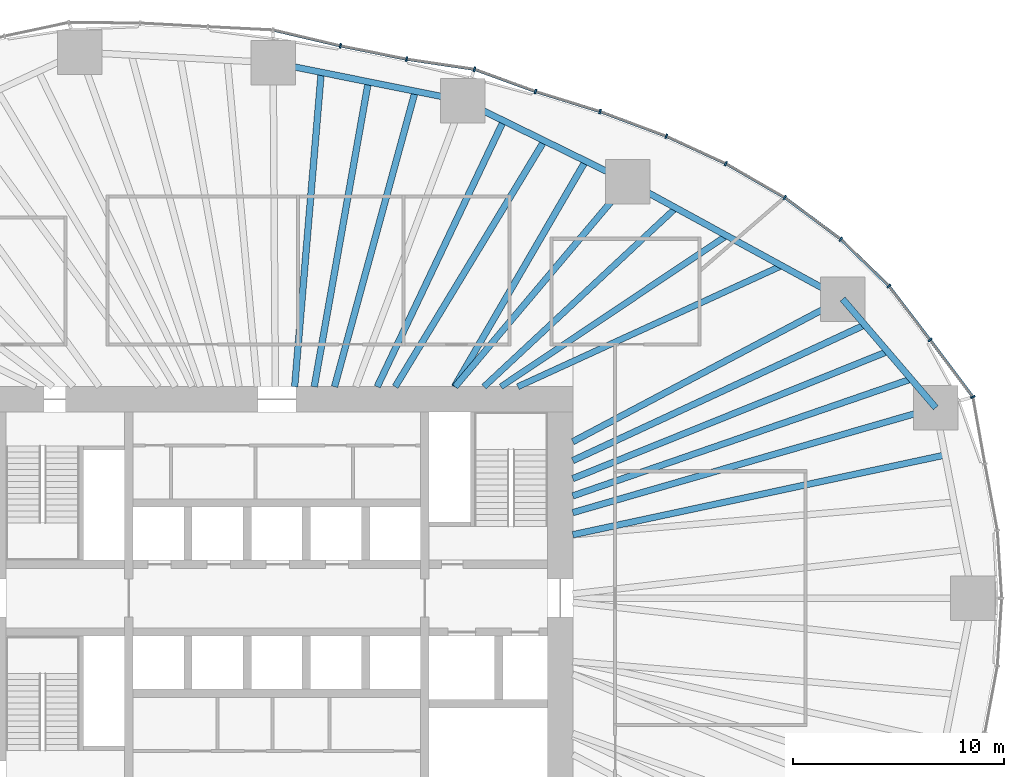
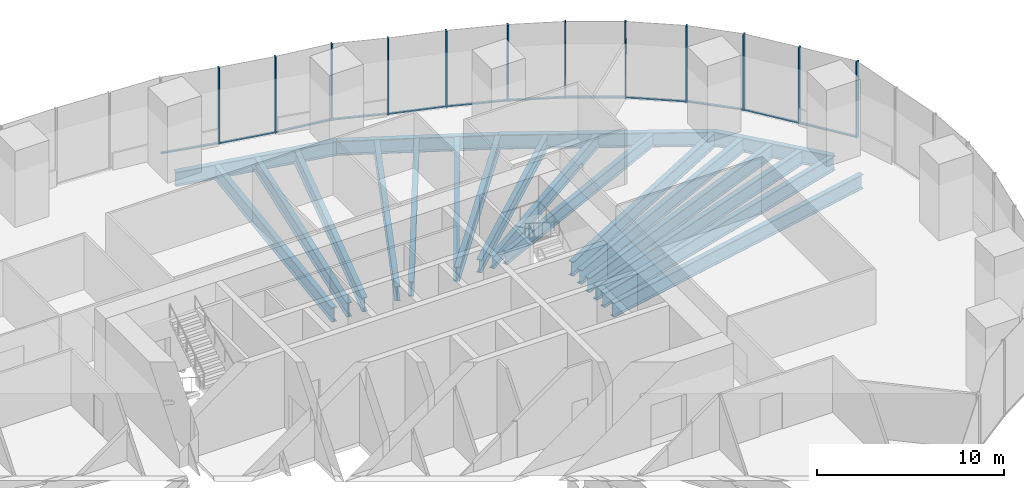
# One storey, part 6 of 20: 24 members, 20 beams, 4 elements without a shape of their own.
"""IFC4 building model written with IfcOpenShell, lengths in metres."""

from ifc_helpers import new_model, si_unit, direction, frame, origin, origin_2d, place, context, subcontext, project, spatial, rectangle, i_section, extrude, material, material_profile, profile_set, type_object, element, aggregate, save


model = new_model("IFC4")

# Units and contexts
model_context = context("Model", 3, precision=1e-05, world=origin(), true_north=direction((0.0, 1.0)))
body_context = subcontext(model_context, "Body", "Model", "MODEL_VIEW")
ifc_project = project(units=[si_unit("LENGTHUNIT", "METRE"), si_unit("AREAUNIT", "SQUARE_METRE"), si_unit("VOLUMEUNIT", "CUBIC_METRE"), si_unit("PLANEANGLEUNIT", "RADIAN"), si_unit("MASSUNIT", "GRAM", prefix="KILO")], contexts=[model_context])

# Site, building, storey
site_placement = place(None, origin())
site = spatial("IfcSite", under=ifc_project, at=site_placement, CompositionType="ELEMENT")
building_placement = place(site_placement, origin())
building = spatial("IfcBuilding", under=site, at=building_placement, Name="Ghaith Harvest Tower", CompositionType="ELEMENT")
storey_placement = place(building_placement, frame((0.0, 0.0, 50.0)))
storey = spatial("IfcBuildingStorey", under=building, at=storey_placement, Name="L10", CompositionType="ELEMENT", Elevation=50.0)

# Curtain wall, members
ifc_material_1 = material(Name="Black anodised aluminium and fritted glass", Category="aluminium")
curtain_wall_type = type_object("IfcCurtainWallType", Name="CW-F CURTAIN WALL", PredefinedType="NOTDEFINED", material=ifc_material_1)
curtain_wall_1_placement = place(storey_placement, origin())
curtain_wall_1 = element("IfcCurtainWall", 1, at=curtain_wall_1_placement, inside=storey, type_object=curtain_wall_type, Name="Curtain wall CW-F bay 02 L10", PredefinedType="NOTDEFINED")
ifc_material_2 = material(Name="Aluminium, black anodised", Category="aluminium")
ifc_material_profile_1 = material_profile(ifc_material_2, rectangle(XDim=0.080078125, YDim=0.219970703125, at=origin_2d()), Name="CW-F MULLION 80x220")
ifc_profile_set_1 = profile_set([ifc_material_profile_1], Name="Aluminium, black anodised")
member_type_1 = type_object("IfcMemberType", Name="CW-F MULLION 80x220", PredefinedType="MULLION", material=ifc_profile_set_1)
member_1_placement = place(storey_placement, frame((32.923583984375, 9.515625, 0.0), z_axis=(0.0, 0.0, 1.0), x_axis=(-0.404701693729, 0.914448762421, 0.0)))
member_1 = element("IfcMember", 2, at=member_1_placement, type_object=member_type_1, Name="CW-F mullion 1 bay 02 L10", PredefinedType="MULLION", context=body_context, shape_type="SweptSolid", body=[
    extrude(rectangle(XDim=0.080078125, YDim=0.219970703125, at=origin_2d()), origin(), (0.0, 0.0, 1.0), 5.0),
])
member_2_placement = place(storey_placement, frame((30.896728515625, 12.215087890625, 0.0), z_axis=(0.0, 0.0, 1.0), x_axis=(-0.603948315345, 0.797023482961, 0.0)))
member_2 = element("IfcMember", 3, at=member_2_placement, type_object=member_type_1, Name="CW-F mullion 2 bay 02 L10", PredefinedType="MULLION", context=body_context, shape_type="SweptSolid", body=[
    extrude(rectangle(XDim=0.080078125, YDim=0.219970703125, at=origin_2d()), origin(), (0.0, 0.0, 1.0), 5.0),
])
member_3_placement = place(storey_placement, frame((28.947021484375, 14.763427734375, 0.0), z_axis=(0.0, 0.0, 1.0), x_axis=(-0.663604797296, 0.748083332929, 0.0)))
member_3 = element("IfcMember", 4, at=member_3_placement, type_object=member_type_1, Name="CW-F mullion 3 bay 02 L10", PredefinedType="MULLION", context=body_context, shape_type="SweptSolid", body=[
    extrude(rectangle(XDim=0.080078125, YDim=0.219970703125, at=origin_2d()), origin(), (0.0, 0.0, 1.0), 5.0),
])

curtain_wall_2_placement = place(storey_placement, origin())
curtain_wall_2 = element("IfcCurtainWall", 5, at=curtain_wall_2_placement, inside=storey, type_object=curtain_wall_type, Name="Curtain wall CW-F bay 03 L10", PredefinedType="NOTDEFINED")
member_4_placement = place(storey_placement, frame((26.673828125, 16.9755859375, 0.0), z_axis=(0.0, 0.0, 1.0), x_axis=(-0.762365981091, 0.647146127915, 0.0)))
member_4 = element("IfcMember", 6, at=member_4_placement, type_object=member_type_1, Name="CW-F mullion 1 bay 03 L10", PredefinedType="MULLION", context=body_context, shape_type="SweptSolid", body=[
    extrude(rectangle(XDim=0.080078125, YDim=0.219970703125, at=origin_2d()), origin(), (0.0, 0.0, 1.0), 5.0),
])
member_5_placement = place(storey_placement, frame((24.018310546875, 18.947265625, 0.0), z_axis=(0.0, 0.0, 1.0), x_axis=(-0.835443516723, 0.549576318963, 0.0)))
member_5 = element("IfcMember", 7, at=member_5_placement, type_object=member_type_1, Name="CW-F mullion 2 bay 03 L10", PredefinedType="MULLION", context=body_context, shape_type="SweptSolid", body=[
    extrude(rectangle(XDim=0.080078125, YDim=0.219970703125, at=origin_2d()), origin(), (0.0, 0.0, 1.0), 5.0),
])
member_6_placement = place(storey_placement, frame((21.2353515625, 20.552978515625, 0.0), z_axis=(0.0, 0.0, 1.0), x_axis=(-0.887896671642, 0.460042933308, 0.0)))
member_6 = element("IfcMember", 8, at=member_6_placement, type_object=member_type_1, Name="CW-F mullion 3 bay 03 L10", PredefinedType="MULLION", context=body_context, shape_type="SweptSolid", body=[
    extrude(rectangle(XDim=0.080078125, YDim=0.219970703125, at=origin_2d()), origin(), (0.0, 0.0, 1.0), 5.0),
])

curtain_wall_3_placement = place(storey_placement, origin())
curtain_wall_3 = element("IfcCurtainWall", 9, at=curtain_wall_3_placement, inside=storey, type_object=curtain_wall_type, Name="Curtain wall CW-F bay 04 L10", PredefinedType="NOTDEFINED")
member_7_placement = place(storey_placement, frame((18.422607421875, 21.8466796875, 0.0), z_axis=(0.0, 0.0, 1.0), x_axis=(-0.923910199252, 0.382609387912, 0.0)))
member_7 = element("IfcMember", 10, at=member_7_placement, type_object=member_type_1, Name="CW-F mullion 1 bay 04 L10", PredefinedType="MULLION", context=body_context, shape_type="SweptSolid", body=[
    extrude(rectangle(XDim=0.080078125, YDim=0.219970703125, at=origin_2d()), origin(), (0.0, 0.0, 1.0), 5.0),
])
member_8_placement = place(storey_placement, frame((15.28759765625, 23.01611328125, 0.0), z_axis=(0.0, 0.0, 1.0), x_axis=(-0.946121020954, 0.323813238933, 0.0)))
member_8 = element("IfcMember", 11, at=member_8_placement, type_object=member_type_1, Name="CW-F mullion 2 bay 04 L10", PredefinedType="MULLION", context=body_context, shape_type="SweptSolid", body=[
    extrude(rectangle(XDim=0.080078125, YDim=0.219970703125, at=origin_2d()), origin(), (0.0, 0.0, 1.0), 5.0),
])
member_9_placement = place(storey_placement, frame((12.234375, 23.964599609375, 0.0), z_axis=(0.0, 0.0, 1.0), x_axis=(-0.947653438436, 0.319300736957, 0.0)))
member_9 = element("IfcMember", 12, at=member_9_placement, type_object=member_type_1, Name="CW-F mullion 3 bay 04 L10", PredefinedType="MULLION", context=body_context, shape_type="SweptSolid", body=[
    extrude(rectangle(XDim=0.080078125, YDim=0.219970703125, at=origin_2d()), origin(), (0.0, 0.0, 1.0), 5.0),
])

curtain_wall_4_placement = place(storey_placement, origin())
curtain_wall_4 = element("IfcCurtainWall", 13, at=curtain_wall_4_placement, inside=storey, type_object=curtain_wall_type, Name="Curtain wall CW-F bay 05 L10", PredefinedType="NOTDEFINED")
member_10_placement = place(storey_placement, frame((9.351806640625, 25.01611328125, 0.0), z_axis=(0.0, 0.0, 1.0), x_axis=(-0.969903429236, 0.243489913461, 0.0)))
member_10 = element("IfcMember", 14, at=member_10_placement, type_object=member_type_1, Name="CW-F mullion 1 bay 05 L10", PredefinedType="MULLION", context=body_context, shape_type="SweptSolid", body=[
    extrude(rectangle(XDim=0.080078125, YDim=0.219970703125, at=origin_2d()), origin(), (0.0, 0.0, 1.0), 5.0),
])
member_11_placement = place(storey_placement, frame((6.136962890625, 25.495361328125, 0.0), z_axis=(0.0, 0.0, 1.0), x_axis=(-0.985103843977, 0.171960508788, 0.0)))
member_11 = element("IfcMember", 15, at=member_11_placement, type_object=member_type_1, Name="CW-F mullion 2 bay 05 L10", PredefinedType="MULLION", context=body_context, shape_type="SweptSolid", body=[
    extrude(rectangle(XDim=0.080078125, YDim=0.219970703125, at=origin_2d()), origin(), (0.0, 0.0, 1.0), 5.0),
])
member_12_placement = place(storey_placement, frame((3.00927734375, 26.123291015625, 0.0), z_axis=(0.0, 0.0, 1.0), x_axis=(-0.976927332869, 0.213571969822, 0.0)))
member_12 = element("IfcMember", 16, at=member_12_placement, type_object=member_type_1, Name="CW-F mullion 3 bay 05 L10", PredefinedType="MULLION", context=body_context, shape_type="SweptSolid", body=[
    extrude(rectangle(XDim=0.080078125, YDim=0.219970703125, at=origin_2d()), origin(), (0.0, 0.0, 1.0), 5.0),
])

# Member
ifc_material_3 = material(Name="Aluminium, black anodised", Category="aluminium")
ifc_material_profile_2 = material_profile(ifc_material_3, rectangle(XDim=0.139892578125, YDim=0.080078125, at=origin_2d()), Name="CW-F TRANSOM 140x80")
ifc_profile_set_2 = profile_set([ifc_material_profile_2], Name="Aluminium, black anodised")
member_type_2 = type_object("IfcMemberType", Name="CW-F TRANSOM 140x80", PredefinedType="USERDEFINED", material=ifc_profile_set_2)
member_13_placement = place(storey_placement, frame((32.899658203125, 9.547607421875, 0.0400390625), z_axis=(-0.600462135687, 0.799653189581, 0.0), x_axis=(-0.799653189581, -0.600462135687, 0.0)))
member_13 = element("IfcMember", 17, at=member_13_placement, type_object=member_type_2, Name="CW-F transom 1 bay 02 L10", ObjectType="TRANSOM", PredefinedType="USERDEFINED", context=body_context, shape_type="SweptSolid", body=[
    extrude(rectangle(XDim=0.139892578125, YDim=0.080078125, at=origin_2d()), origin(), (0.0, 0.0, 1.0), 3.2958984375),
])

member_14_placement = place(storey_placement, frame((30.87255859375, 12.246826171875, 0.0400390625), z_axis=(-0.607638356471, 0.794213842579, 0.0), x_axis=(-0.794213842579, -0.607638356471, 0.0)))
member_14 = element("IfcMember", 18, at=member_14_placement, type_object=member_type_2, Name="CW-F transom 2 bay 02 L10", ObjectType="TRANSOM", PredefinedType="USERDEFINED", context=body_context, shape_type="SweptSolid", body=[
    extrude(rectangle(XDim=0.139892578125, YDim=0.080078125, at=origin_2d()), origin(), (0.0, 0.0, 1.0), 3.128662109375),
])

member_15_placement = place(storey_placement, frame((28.91845703125, 14.791259765625, 0.0400390625), z_axis=(-0.71671313139, 0.697368114623, 0.0), x_axis=(-0.697368114623, -0.71671313139, 0.0)))
member_15 = element("IfcMember", 19, at=member_15_placement, type_object=member_type_2, Name="CW-F transom 3 bay 02 L10", ObjectType="TRANSOM", PredefinedType="USERDEFINED", context=body_context, shape_type="SweptSolid", body=[
    extrude(rectangle(XDim=0.139892578125, YDim=0.080078125, at=origin_2d()), origin(), (0.0, 0.0, 1.0), 3.092041015625),
])

aggregate(curtain_wall_1, [member_1, member_13, member_2, member_14, member_3, member_15])

member_16_placement = place(storey_placement, frame((26.641845703125, 16.999267578125, 0.0400390625), z_axis=(-0.802877287823, 0.596144328748, 0.0), x_axis=(-0.596144328748, -0.802877287823, 0.0)))
member_16 = element("IfcMember", 20, at=member_16_placement, type_object=member_type_2, Name="CW-F transom 1 bay 03 L10", ObjectType="TRANSOM", PredefinedType="USERDEFINED", context=body_context, shape_type="SweptSolid", body=[
    extrude(rectangle(XDim=0.139892578125, YDim=0.080078125, at=origin_2d()), origin(), (0.0, 0.0, 1.0), 3.2275390625),
])

member_17_placement = place(storey_placement, frame((23.983642578125, 18.96728515625, 0.0400390625), z_axis=(-0.866168719914, 0.499751686983, 0.0), x_axis=(-0.499751686983, -0.866168719914, 0.0)))
member_17 = element("IfcMember", 21, at=member_17_placement, type_object=member_type_2, Name="CW-F transom 2 bay 03 L10", ObjectType="TRANSOM", PredefinedType="USERDEFINED", context=body_context, shape_type="SweptSolid", body=[
    extrude(rectangle(XDim=0.139892578125, YDim=0.080078125, at=origin_2d()), origin(), (0.0, 0.0, 1.0), 3.1328125),
])

member_18_placement = place(storey_placement, frame((21.19921875, 20.56982421875, 0.0400390625), z_axis=(-0.908553137239, 0.417769310521, 0.0), x_axis=(-0.417769310521, -0.908553137239, 0.0)))
member_18 = element("IfcMember", 22, at=member_18_placement, type_object=member_type_2, Name="CW-F transom 3 bay 03 L10", ObjectType="TRANSOM", PredefinedType="USERDEFINED", context=body_context, shape_type="SweptSolid", body=[
    extrude(rectangle(XDim=0.139892578125, YDim=0.080078125, at=origin_2d()), origin(), (0.0, 0.0, 1.0), 3.01611328125),
])

aggregate(curtain_wall_2, [member_4, member_16, member_5, member_17, member_6, member_18])

member_19_placement = place(storey_placement, frame((18.385009765625, 21.860595703125, 0.0400390625), z_axis=(-0.936923785579, 0.349533717996, 0.0), x_axis=(-0.349533717996, -0.936923785579, 0.0)))
member_19 = element("IfcMember", 23, at=member_19_placement, type_object=member_type_2, Name="CW-F transom 1 bay 04 L10", ObjectType="TRANSOM", PredefinedType="USERDEFINED", context=body_context, shape_type="SweptSolid", body=[
    extrude(rectangle(XDim=0.139892578125, YDim=0.080078125, at=origin_2d()), origin(), (0.0, 0.0, 1.0), 3.26611328125),
])

member_20_placement = place(storey_placement, frame((15.249267578125, 23.028076171875, 0.0400390625), z_axis=(-0.954998362353, 0.296611071781, 0.0), x_axis=(-0.296611071781, -0.954998362353, 0.0)))
member_20 = element("IfcMember", 24, at=member_20_placement, type_object=member_type_2, Name="CW-F transom 2 bay 04 L10", ObjectType="TRANSOM", PredefinedType="USERDEFINED", context=body_context, shape_type="SweptSolid", body=[
    extrude(rectangle(XDim=0.139892578125, YDim=0.080078125, at=origin_2d()), origin(), (0.0, 0.0, 1.0), 3.1171875),
])

member_21_placement = place(storey_placement, frame((12.19677734375, 23.978271484375, 0.0400390625), z_axis=(-0.939437502081, 0.342720264478, 0.0), x_axis=(-0.342720264478, -0.939437502081, 0.0)))
member_21 = element("IfcMember", 25, at=member_21_placement, type_object=member_type_2, Name="CW-F transom 3 bay 04 L10", ObjectType="TRANSOM", PredefinedType="USERDEFINED", context=body_context, shape_type="SweptSolid", body=[
    extrude(rectangle(XDim=0.139892578125, YDim=0.080078125, at=origin_2d()), origin(), (0.0, 0.0, 1.0), 2.98828125),
])

aggregate(curtain_wall_3, [member_7, member_19, member_8, member_20, member_9, member_21])

member_22_placement = place(storey_placement, frame((9.312255859375, 25.02197265625, 0.0400390625), z_axis=(-0.989078238205, 0.147391447207, 0.0), x_axis=(-0.147391447207, -0.989078238205, 0.0)))
member_22 = element("IfcMember", 26, at=member_22_placement, type_object=member_type_2, Name="CW-F transom 1 bay 05 L10", ObjectType="TRANSOM", PredefinedType="USERDEFINED", context=body_context, shape_type="SweptSolid", body=[
    extrude(rectangle(XDim=0.139892578125, YDim=0.080078125, at=origin_2d()), origin(), (0.0, 0.0, 1.0), 3.17041015625),
])

member_23_placement = place(storey_placement, frame((6.097900390625, 25.503173828125, 0.0400390625), z_axis=(-0.980432471193, 0.196855707129, 0.0), x_axis=(-0.196855707129, -0.980432471193, 0.0)))
member_23 = element("IfcMember", 27, at=member_23_placement, type_object=member_type_2, Name="CW-F transom 2 bay 05 L10", ObjectType="TRANSOM", PredefinedType="USERDEFINED", context=body_context, shape_type="SweptSolid", body=[
    extrude(rectangle(XDim=0.139892578125, YDim=0.080078125, at=origin_2d()), origin(), (0.0, 0.0, 1.0), 3.1103515625),
])

member_24_placement = place(storey_placement, frame((2.97021484375, 26.132568359375, 0.0400390625), z_axis=(-0.973252867589, 0.229736491942, 0.0), x_axis=(-0.229736491942, -0.973252867589, 0.0)))
member_24 = element("IfcMember", 28, at=member_24_placement, type_object=member_type_2, Name="CW-F transom 3 bay 05 L10", ObjectType="TRANSOM", PredefinedType="USERDEFINED", context=body_context, shape_type="SweptSolid", body=[
    extrude(rectangle(XDim=0.139892578125, YDim=0.080078125, at=origin_2d()), origin(), (0.0, 0.0, 1.0), 3.200927734375),
])

aggregate(curtain_wall_4, [member_10, member_22, member_11, member_23, member_12, member_24])

# Beams
ifc_material_4 = material(Name="Steel ASTM A992 Grade 50", Category="steel")
ifc_material_profile_3 = material_profile(ifc_material_4, i_section(OverallWidth=0.306884765625, OverallDepth=0.94189453125, WebThickness=0.022216796875, FlangeThickness=0.039794921875, at=origin_2d()), Name="W920X345")
ifc_profile_set_3 = profile_set([ifc_material_profile_3], Name="Steel ASTM A992 Grade 50")
beam_type_1 = type_object("IfcBeamType", Name="E920-345 W920X345", PredefinedType="SPANDREL", material=ifc_profile_set_3)
beam_1_placement = place(storey_placement, frame((31.166015625, 9.008056640625, -0.6708984375), z_axis=(-0.65056255283, 0.759452674533, 0.0), x_axis=(-0.759452674533, -0.65056255283, 0.0)))
element("IfcBeam", 29, at=beam_1_placement, inside=storey, type_object=beam_type_1, Name="Edge beam E02 L10", PredefinedType="SPANDREL", context=body_context, shape_type="SweptSolid", body=[
    extrude(i_section(OverallWidth=0.306884765625, OverallDepth=0.94189453125, WebThickness=0.022216796875, FlangeThickness=0.039794921875, at=origin_2d()), origin(), (0.0, 0.0, 1.0), 6.7666015625),
])
beam_2_placement = place(storey_placement, frame((26.763916015625, 14.14697265625, -0.6708984375), z_axis=(-0.877588218279, 0.479415184509, 0.0), x_axis=(-0.479415184509, -0.877588218279, 0.0)))
element("IfcBeam", 30, at=beam_2_placement, inside=storey, type_object=beam_type_1, Name="Edge beam E03 L10", PredefinedType="SPANDREL", context=body_context, shape_type="SweptSolid", body=[
    extrude(i_section(OverallWidth=0.306884765625, OverallDepth=0.94189453125, WebThickness=0.022216796875, FlangeThickness=0.039794921875, at=origin_2d()), origin(), (0.0, 0.0, 1.0), 11.57275390625),
])
beam_3_placement = place(storey_placement, frame((16.60791015625, 19.695068359375, -0.6708984375), z_axis=(-0.897823733825, 0.440355019252, 0.0), x_axis=(-0.440355019252, -0.897823733825, 0.0)))
element("IfcBeam", 31, at=beam_3_placement, inside=storey, type_object=beam_type_1, Name="Edge beam E04 L10", PredefinedType="SPANDREL", context=body_context, shape_type="SweptSolid", body=[
    extrude(i_section(OverallWidth=0.306884765625, OverallDepth=0.94189453125, WebThickness=0.022216796875, FlangeThickness=0.039794921875, at=origin_2d()), origin(), (0.0, 0.0, 1.0), 8.7021484375),
])
beam_4_placement = place(storey_placement, frame((8.794921875, 23.527099609375, -0.6708984375), z_axis=(-0.980450082464, 0.196767974517, 0.0), x_axis=(-0.196767974517, -0.980450082464, 0.0)))
element("IfcBeam", 32, at=beam_4_placement, inside=storey, type_object=beam_type_1, Name="Edge beam E05 L10", PredefinedType="SPANDREL", context=body_context, shape_type="SweptSolid", body=[
    extrude(i_section(OverallWidth=0.306884765625, OverallDepth=0.94189453125, WebThickness=0.022216796875, FlangeThickness=0.039794921875, at=origin_2d()), origin(), (0.0, 0.0, 1.0), 9.146728515625),
])
ifc_material_5 = material(Name="Steel ASTM A992 Grade 50", Category="steel")
ifc_material_profile_4 = material_profile(ifc_material_5, i_section(OverallWidth=0.306884765625, OverallDepth=0.94189453125, WebThickness=0.022216796875, FlangeThickness=0.039794921875, at=origin_2d()), Name="W920X345")
ifc_profile_set_4 = profile_set([ifc_material_profile_4], Name="Steel ASTM A992 Grade 50")
beam_type_2 = type_object("IfcBeamType", Name="G920-345 W920X345", PredefinedType="BEAM", material=ifc_profile_set_4)
beam_5_placement = place(storey_placement, frame((14.0, 4.04638671875, -0.6708984375), z_axis=(0.960675395102, 0.277673882903, 0.0), x_axis=(-0.277673882903, 0.960675395102, 0.0)))
element("IfcBeam", 33, at=beam_5_placement, inside=storey, type_object=beam_type_2, Name="Radial girder G02 L10", PredefinedType="BEAM", context=body_context, shape_type="SweptSolid", body=[
    extrude(i_section(OverallWidth=0.306884765625, OverallDepth=0.94189453125, WebThickness=0.022216796875, FlangeThickness=0.039794921875, at=origin_2d()), origin(), (0.0, 0.0, 1.0), 17.86865234375),
])
beam_6_placement = place(storey_placement, frame((14.0, 7.39990234375, -0.6708984375), z_axis=(0.884082663971, 0.467330550324, 0.0), x_axis=(-0.467330550324, 0.884082663971, 0.0)))
element("IfcBeam", 34, at=beam_6_placement, inside=storey, type_object=beam_type_2, Name="Radial girder G03 L10", PredefinedType="BEAM", context=body_context, shape_type="SweptSolid", body=[
    extrude(i_section(OverallWidth=0.306884765625, OverallDepth=0.94189453125, WebThickness=0.022216796875, FlangeThickness=0.039794921875, at=origin_2d()), origin(), (0.0, 0.0, 1.0), 14.4375),
])
beam_7_placement = place(storey_placement, frame((8.4326171875, 10.0, -0.6708984375), z_axis=(0.644644245772, 0.764482698557, 0.0), x_axis=(-0.764482698557, 0.644644245772, 0.0)))
element("IfcBeam", 35, at=beam_7_placement, inside=storey, type_object=beam_type_2, Name="Radial girder G04 L10", PredefinedType="BEAM", context=body_context, shape_type="SweptSolid", body=[
    extrude(i_section(OverallWidth=0.306884765625, OverallDepth=0.94189453125, WebThickness=0.022216796875, FlangeThickness=0.039794921875, at=origin_2d()), origin(), (0.0, 0.0, 1.0), 12.681884765625),
])
ifc_material_6 = material(Name="Steel ASTM A992 Grade 50", Category="steel")
ifc_material_profile_5 = material_profile(ifc_material_6, i_section(OverallWidth=0.2939453125, OverallDepth=0.85107421875, WebThickness=0.01611328125, FlangeThickness=0.02685546875, at=origin_2d()), Name="W840X226")
ifc_profile_set_5 = profile_set([ifc_material_profile_5], Name="Steel ASTM A992 Grade 50")
beam_type_3 = type_object("IfcBeamType", Name="J840-226 W840X226", PredefinedType="JOIST", material=ifc_profile_set_5)
beam_8_placement = place(storey_placement, frame((11.39990234375, 10.0, -0.62548828125), z_axis=(0.909014022454, 0.416765529983, 0.0), x_axis=(-0.416765529983, 0.909014022454, 0.0)))
element("IfcBeam", 36, at=beam_8_placement, inside=storey, type_object=beam_type_3, Name="Joist J03.1 L10", PredefinedType="JOIST", context=body_context, shape_type="SweptSolid", body=[
    extrude(i_section(OverallWidth=0.2939453125, OverallDepth=0.85107421875, WebThickness=0.01611328125, FlangeThickness=0.02685546875, at=origin_2d()), origin(), (0.0, 0.0, 1.0), 13.72998046875),
])
beam_9_placement = place(storey_placement, frame((10.60009765625, 10.0, -0.62548828125), z_axis=(0.831116486766, 0.556098359489, 0.0), x_axis=(-0.556098359489, 0.831116486766, 0.0)))
element("IfcBeam", 37, at=beam_9_placement, inside=storey, type_object=beam_type_3, Name="Joist J03.2 L10", PredefinedType="JOIST", context=body_context, shape_type="SweptSolid", body=[
    extrude(i_section(OverallWidth=0.2939453125, OverallDepth=0.85107421875, WebThickness=0.01611328125, FlangeThickness=0.02685546875, at=origin_2d()), origin(), (0.0, 0.0, 1.0), 12.84716796875),
])
beam_10_placement = place(storey_placement, frame((9.800048828125, 10.0, -0.62548828125), z_axis=(0.731538123562, 0.681800538116, 0.0), x_axis=(-0.681800538116, 0.731538123562, 0.0)))
element("IfcBeam", 38, at=beam_10_placement, inside=storey, type_object=beam_type_3, Name="Joist J03.3 L10", PredefinedType="JOIST", context=body_context, shape_type="SweptSolid", body=[
    extrude(i_section(OverallWidth=0.2939453125, OverallDepth=0.85107421875, WebThickness=0.01611328125, FlangeThickness=0.02685546875, at=origin_2d()), origin(), (0.0, 0.0, 1.0), 12.404052734375),
])
ifc_material_7 = material(Name="Steel ASTM A992 Grade 50", Category="steel")
ifc_material_profile_6 = material_profile(ifc_material_7, i_section(OverallWidth=0.31005859375, OverallDepth=0.927001953125, WebThickness=0.019287109375, FlangeThickness=0.031982421875, at=origin_2d()), Name="W920X289")
ifc_profile_set_6 = profile_set([ifc_material_profile_6], Name="Steel ASTM A992 Grade 50")
beam_type_4 = type_object("IfcBeamType", Name="J920-289 W920X289", PredefinedType="JOIST", material=ifc_profile_set_6)
beam_11_placement = place(storey_placement, frame((14.0, 6.506103515625, -0.66357421875), z_axis=(0.906862619792, 0.421426374144, 0.0), x_axis=(-0.421426374144, 0.906862619792, 0.0)))
element("IfcBeam", 39, at=beam_11_placement, inside=storey, type_object=beam_type_4, Name="Joist J02.3 L10", PredefinedType="JOIST", context=body_context, shape_type="SweptSolid", body=[
    extrude(i_section(OverallWidth=0.31005859375, OverallDepth=0.927001953125, WebThickness=0.019287109375, FlangeThickness=0.031982421875, at=origin_2d()), origin(), (0.0, 0.0, 1.0), 15.229736328125),
])
beam_12_placement = place(storey_placement, frame((8.39990234375, 10.0, -0.66357421875), z_axis=(0.50228574324, 0.864701701246, 0.0), x_axis=(-0.864701701246, 0.50228574324, 0.0)))
element("IfcBeam", 40, at=beam_12_placement, inside=storey, type_object=beam_type_4, Name="Joist J04.1 L10", PredefinedType="JOIST", context=body_context, shape_type="SweptSolid", body=[
    extrude(i_section(OverallWidth=0.31005859375, OverallDepth=0.927001953125, WebThickness=0.019287109375, FlangeThickness=0.031982421875, at=origin_2d()), origin(), (0.0, 0.0, 1.0), 12.349365234375),
])
beam_13_placement = place(storey_placement, frame((5.60009765625, 10.0, -0.66357421875), z_axis=(0.518319612023, 0.85518698528, 0.0), x_axis=(-0.85518698528, 0.518319612023, 0.0)))
element("IfcBeam", 41, at=beam_13_placement, inside=storey, type_object=beam_type_4, Name="Joist J04.2 L10", PredefinedType="JOIST", context=body_context, shape_type="SweptSolid", body=[
    extrude(i_section(OverallWidth=0.31005859375, OverallDepth=0.927001953125, WebThickness=0.019287109375, FlangeThickness=0.031982421875, at=origin_2d()), origin(), (0.0, 0.0, 1.0), 13.60546875),
])
beam_14_placement = place(storey_placement, frame((4.75, 10.0, -0.66357421875), z_axis=(0.429059675117, 0.903276145588, 0.0), x_axis=(-0.903276145588, 0.429059675117, 0.0)))
element("IfcBeam", 42, at=beam_14_placement, inside=storey, type_object=beam_type_4, Name="Joist J04.3 L10", PredefinedType="JOIST", context=body_context, shape_type="SweptSolid", body=[
    extrude(i_section(OverallWidth=0.31005859375, OverallDepth=0.927001953125, WebThickness=0.019287109375, FlangeThickness=0.031982421875, at=origin_2d()), origin(), (0.0, 0.0, 1.0), 13.92724609375),
])
beam_15_placement = place(storey_placement, frame((2.73095703125, 10.0, -0.66357421875), z_axis=(0.263455282447, 0.964671609487, 0.0), x_axis=(-0.964671609487, 0.263455282447, 0.0)))
element("IfcBeam", 43, at=beam_15_placement, inside=storey, type_object=beam_type_4, Name="Joist J05.1 L10", PredefinedType="JOIST", context=body_context, shape_type="SweptSolid", body=[
    extrude(i_section(OverallWidth=0.31005859375, OverallDepth=0.927001953125, WebThickness=0.019287109375, FlangeThickness=0.031982421875, at=origin_2d()), origin(), (0.0, 0.0, 1.0), 14.48974609375),
])
beam_16_placement = place(storey_placement, frame((1.772705078125, 10.0, -0.66357421875), z_axis=(0.174552574354, 0.984647855218, 0.0), x_axis=(-0.984647855218, 0.174552574354, 0.0)))
element("IfcBeam", 44, at=beam_16_placement, inside=storey, type_object=beam_type_4, Name="Joist J05.2 L10", PredefinedType="JOIST", context=body_context, shape_type="SweptSolid", body=[
    extrude(i_section(OverallWidth=0.31005859375, OverallDepth=0.927001953125, WebThickness=0.019287109375, FlangeThickness=0.031982421875, at=origin_2d()), origin(), (0.0, 0.0, 1.0), 14.648193359375),
])
beam_17_placement = place(storey_placement, frame((0.844970703125, 10.0, -0.66357421875), z_axis=(0.084219252187, 0.996447247756, 0.0), x_axis=(-0.996447247756, 0.084219252187, 0.0)))
element("IfcBeam", 45, at=beam_17_placement, inside=storey, type_object=beam_type_4, Name="Joist J05.3 L10", PredefinedType="JOIST", context=body_context, shape_type="SweptSolid", body=[
    extrude(i_section(OverallWidth=0.31005859375, OverallDepth=0.927001953125, WebThickness=0.019287109375, FlangeThickness=0.031982421875, at=origin_2d()), origin(), (0.0, 0.0, 1.0), 14.92333984375),
])
ifc_material_8 = material(Name="Steel ASTM A992 Grade 50", Category="steel")
ifc_material_profile_7 = material_profile(ifc_material_8, i_section(OverallWidth=0.306884765625, OverallDepth=0.94189453125, WebThickness=0.022216796875, FlangeThickness=0.039794921875, at=origin_2d()), Name="W920X345")
ifc_profile_set_7 = profile_set([ifc_material_profile_7], Name="Steel ASTM A992 Grade 50")
beam_type_5 = type_object("IfcBeamType", Name="J920-345 W920X345", PredefinedType="JOIST", material=ifc_profile_set_7)
beam_18_placement = place(storey_placement, frame((14.0, 3.0, -0.6708984375), z_axis=(0.977831380626, 0.209393865869, 0.0), x_axis=(-0.209393865869, 0.977831380626, 0.0)))
element("IfcBeam", 46, at=beam_18_placement, inside=storey, type_object=beam_type_5, Name="Joist J01.3 L10", PredefinedType="JOIST", context=body_context, shape_type="SweptSolid", body=[
    extrude(i_section(OverallWidth=0.306884765625, OverallDepth=0.94189453125, WebThickness=0.022216796875, FlangeThickness=0.039794921875, at=origin_2d()), origin(), (0.0, 0.0, 1.0), 18.002197265625),
])
beam_19_placement = place(storey_placement, frame((14.0, 4.835693359375, -0.6708984375), z_axis=(0.945204767809, 0.326478095607, 0.0), x_axis=(-0.326478095607, 0.945204767809, 0.0)))
element("IfcBeam", 47, at=beam_19_placement, inside=storey, type_object=beam_type_5, Name="Joist J02.1 L10", PredefinedType="JOIST", context=body_context, shape_type="SweptSolid", body=[
    extrude(i_section(OverallWidth=0.306884765625, OverallDepth=0.94189453125, WebThickness=0.022216796875, FlangeThickness=0.039794921875, at=origin_2d()), origin(), (0.0, 0.0, 1.0), 16.932373046875),
])
beam_20_placement = place(storey_placement, frame((14.0, 5.653564453125, -0.6708984375), z_axis=(0.927252192145, 0.374437407536, 0.0), x_axis=(-0.374437407536, 0.927252192145, 0.0)))
element("IfcBeam", 48, at=beam_20_placement, inside=storey, type_object=beam_type_5, Name="Joist J02.2 L10", PredefinedType="JOIST", context=body_context, shape_type="SweptSolid", body=[
    extrude(i_section(OverallWidth=0.306884765625, OverallDepth=0.94189453125, WebThickness=0.022216796875, FlangeThickness=0.039794921875, at=origin_2d()), origin(), (0.0, 0.0, 1.0), 16.057373046875),
])

save(model, "model.ifc")
